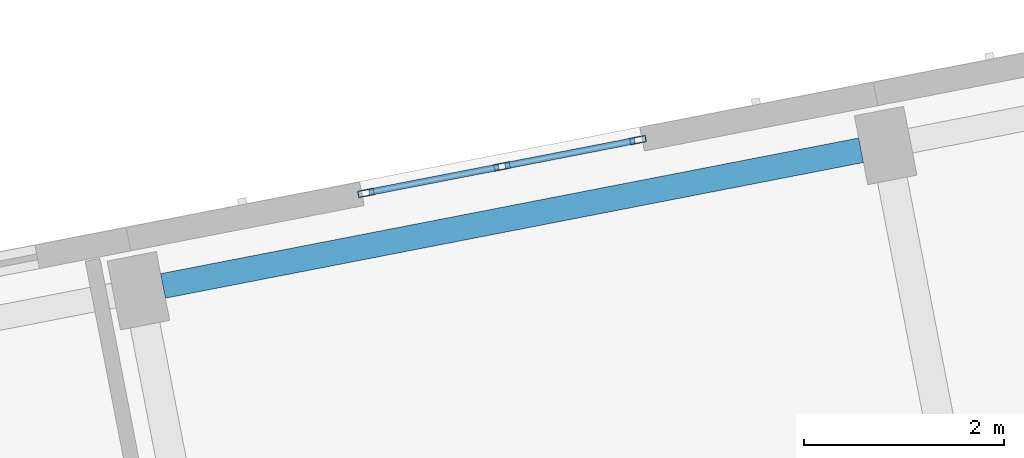
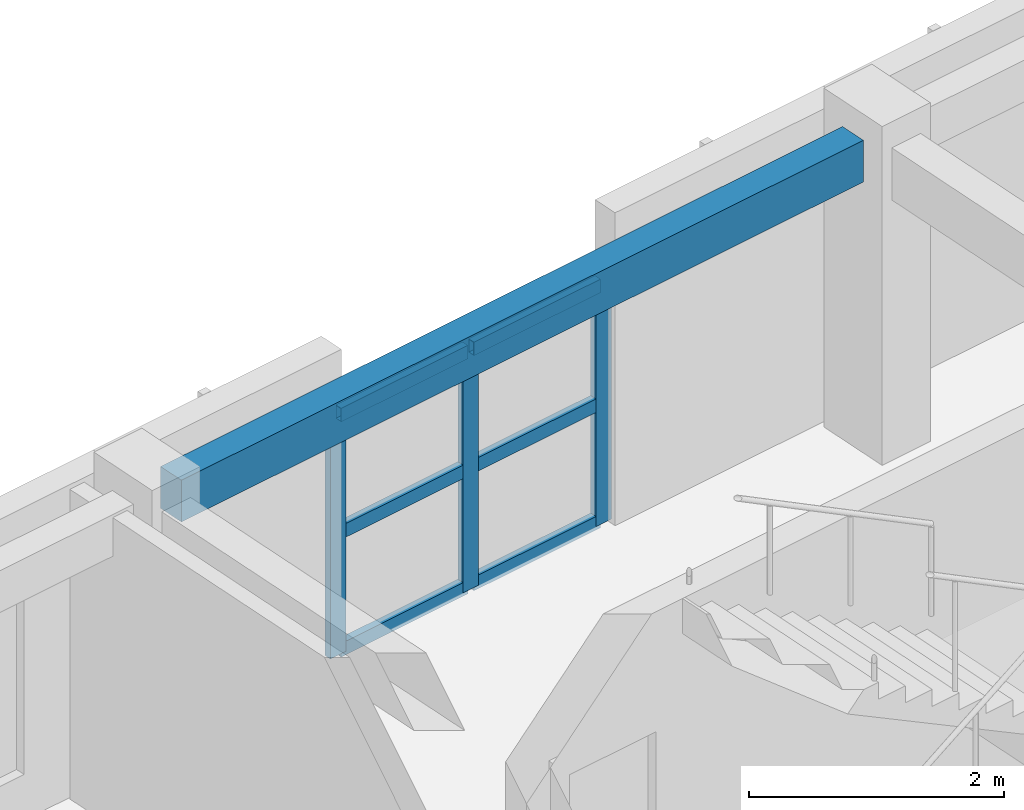
# One storey, part 9 of 74: 9 members, 1 beam, 1 element without a shape of its own.
"""IFC4 building model written with IfcOpenShell, lengths in metres."""

from ifc_helpers import new_model, si_unit, direction, frame, origin, origin_2d, place, context, subcontext, project, spatial, rectangle, hollow_rectangle, extrude, material, material_profile, profile_set, type_object, element, aggregate, save


model = new_model("IFC4")

# Units and contexts
model_context = context("Model", 3, precision=1e-05, world=origin(), true_north=direction((0.0, 1.0)))
body_context = subcontext(model_context, "Body", "Model", "MODEL_VIEW")
ifc_project = project(units=[si_unit("LENGTHUNIT", "METRE"), si_unit("AREAUNIT", "SQUARE_METRE"), si_unit("VOLUMEUNIT", "CUBIC_METRE"), si_unit("PLANEANGLEUNIT", "RADIAN"), si_unit("MASSUNIT", "GRAM", prefix="KILO")], contexts=[model_context])

# Site, building, storey
site_placement = place(None, origin())
site = spatial("IfcSite", under=ifc_project, at=site_placement, CompositionType="ELEMENT")
building_placement = place(site_placement, origin())
building = spatial("IfcBuilding", under=site, at=building_placement, Name="Kestramere Prow Commons", CompositionType="ELEMENT")
storey_placement = place(building_placement, frame((0.0, 0.0, 11.64990234375)))
storey = spatial("IfcBuildingStorey", under=building, at=storey_placement, Name="L03", CompositionType="ELEMENT", Elevation=11.64990234375)

# Curtain wall, members
ifc_material_1 = material(Name="Anodised Aluminium and Low-E Glass", Category="aluminium")
curtain_wall_type = type_object("IfcCurtainWallType", Name="CW-03 Glazed Curtain Wall 2830x2320", PredefinedType="USERDEFINED", material=ifc_material_1)
curtain_wall_placement = place(storey_placement, origin())
curtain_wall = element("IfcCurtainWall", 1, at=curtain_wall_placement, inside=storey, type_object=curtain_wall_type, Name="Block D L03 Stairwell Vertical Glazing 4", ObjectType="GLAZED CURTAIN WALL", PredefinedType="USERDEFINED")
ifc_material_2 = material(Name="Anodised Aluminium 6063-T6", Category="aluminium")
ifc_material_profile_1 = material_profile(ifc_material_2, hollow_rectangle(XDim=0.06494140625, YDim=0.159912109375, WallThickness=0.00390625, at=origin_2d()), Name="ALU-MUL 65x160")
ifc_profile_set_1 = profile_set([ifc_material_profile_1], Name="Anodised Aluminium 6063-T6")
member_type_1 = type_object("IfcMemberType", Name="CW-MUL-65x160", PredefinedType="MULLION", material=ifc_profile_set_1)
member_1_placement = place(storey_placement, frame((139.314208984375, 58.56689453125, 0.0), z_axis=(0.0, 0.0, 1.0), x_axis=(-0.190808835118, 0.981627214599, 0.0)))
member_1 = element("IfcMember", 2, at=member_1_placement, type_object=member_type_1, Name="CW-03 mullion 1", PredefinedType="MULLION", context=body_context, shape_type="SweptSolid", body=[
    extrude(hollow_rectangle(XDim=0.06494140625, YDim=0.159912109375, WallThickness=0.00390625, at=origin_2d()), origin(), (0.0, 0.0, 1.0), 2.320068359375),
])
member_2_placement = place(storey_placement, frame((140.671142578125, 58.830810546875, 0.0), z_axis=(0.0, 0.0, 1.0), x_axis=(-0.190808835118, 0.981627214599, 0.0)))
member_2 = element("IfcMember", 3, at=member_2_placement, type_object=member_type_1, Name="CW-03 mullion 2", PredefinedType="MULLION", context=body_context, shape_type="SweptSolid", body=[
    extrude(hollow_rectangle(XDim=0.06494140625, YDim=0.159912109375, WallThickness=0.00390625, at=origin_2d()), origin(), (0.0, 0.0, 1.0), 2.320068359375),
])
member_3_placement = place(storey_placement, frame((142.0283203125, 59.094482421875, 0.0), z_axis=(0.0, 0.0, 1.0), x_axis=(-0.190808835118, 0.981627214599, 0.0)))
member_3 = element("IfcMember", 4, at=member_3_placement, type_object=member_type_1, Name="CW-03 mullion 3", PredefinedType="MULLION", context=body_context, shape_type="SweptSolid", body=[
    extrude(hollow_rectangle(XDim=0.06494140625, YDim=0.159912109375, WallThickness=0.00390625, at=origin_2d()), origin(), (0.0, 0.0, 1.0), 2.320068359375),
])
ifc_material_profile_2 = material_profile(ifc_material_2, hollow_rectangle(XDim=0.06494140625, YDim=0.1298828125, WallThickness=0.00390625, at=origin_2d()), Name="ALU-TRN 65x130")
ifc_profile_set_2 = profile_set([ifc_material_profile_2], Name="Anodised Aluminium 6063-T6")
member_type_2 = type_object("IfcMemberType", Name="CW-TRN-65x130", PredefinedType="USERDEFINED", material=ifc_profile_set_2)
member_4_placement = place(storey_placement, frame((139.345947265625, 58.5732421875, 0.03271484375), z_axis=(0.981655869186, 0.190661360776, 0.0), x_axis=(-0.190661360776, 0.981655869186, 0.0)))
member_4 = element("IfcMember", 5, at=member_4_placement, type_object=member_type_2, Name="CW-03 transom 1.1", ObjectType="TRANSOM", PredefinedType="USERDEFINED", context=body_context, shape_type="SweptSolid", body=[
    extrude(hollow_rectangle(XDim=0.06494140625, YDim=0.1298828125, WallThickness=0.00390625, at=origin_2d()), origin(), (0.0, 0.0, 1.0), 1.317626953125),
])
member_5_placement = place(storey_placement, frame((139.345947265625, 58.5732421875, 1.16015625), z_axis=(0.981655869186, 0.190661360776, 0.0), x_axis=(-0.190661360776, 0.981655869186, 0.0)))
member_5 = element("IfcMember", 6, at=member_5_placement, type_object=member_type_2, Name="CW-03 transom 1.2", ObjectType="TRANSOM", PredefinedType="USERDEFINED", context=body_context, shape_type="SweptSolid", body=[
    extrude(hollow_rectangle(XDim=0.06494140625, YDim=0.1298828125, WallThickness=0.00390625, at=origin_2d()), origin(), (0.0, 0.0, 1.0), 1.317626953125),
])
member_6_placement = place(storey_placement, frame((139.345947265625, 58.5732421875, 2.28759765625), z_axis=(0.981655869186, 0.190661360776, 0.0), x_axis=(-0.190661360776, 0.981655869186, 0.0)))
member_6 = element("IfcMember", 7, at=member_6_placement, type_object=member_type_2, Name="CW-03 transom 1.3", ObjectType="TRANSOM", PredefinedType="USERDEFINED", context=body_context, shape_type="SweptSolid", body=[
    extrude(hollow_rectangle(XDim=0.06494140625, YDim=0.1298828125, WallThickness=0.00390625, at=origin_2d()), origin(), (0.0, 0.0, 1.0), 1.317626953125),
])
member_7_placement = place(storey_placement, frame((140.703125, 58.8369140625, 0.03271484375), z_axis=(0.981614425191, 0.190874619208, 0.0), x_axis=(-0.190874619208, 0.981614425191, 0.0)))
member_7 = element("IfcMember", 8, at=member_7_placement, type_object=member_type_2, Name="CW-03 transom 2.1", ObjectType="TRANSOM", PredefinedType="USERDEFINED", context=body_context, shape_type="SweptSolid", body=[
    extrude(hollow_rectangle(XDim=0.06494140625, YDim=0.1298828125, WallThickness=0.00390625, at=origin_2d()), origin(), (0.0, 0.0, 1.0), 1.3173828125),
])
member_8_placement = place(storey_placement, frame((140.703125, 58.8369140625, 1.16015625), z_axis=(0.981614425191, 0.190874619208, 0.0), x_axis=(-0.190874619208, 0.981614425191, 0.0)))
member_8 = element("IfcMember", 9, at=member_8_placement, type_object=member_type_2, Name="CW-03 transom 2.2", ObjectType="TRANSOM", PredefinedType="USERDEFINED", context=body_context, shape_type="SweptSolid", body=[
    extrude(hollow_rectangle(XDim=0.06494140625, YDim=0.1298828125, WallThickness=0.00390625, at=origin_2d()), origin(), (0.0, 0.0, 1.0), 1.3173828125),
])
member_9_placement = place(storey_placement, frame((140.703125, 58.8369140625, 2.28759765625), z_axis=(0.981614425191, 0.190874619208, 0.0), x_axis=(-0.190874619208, 0.981614425191, 0.0)))
member_9 = element("IfcMember", 10, at=member_9_placement, type_object=member_type_2, Name="CW-03 transom 2.3", ObjectType="TRANSOM", PredefinedType="USERDEFINED", context=body_context, shape_type="SweptSolid", body=[
    extrude(hollow_rectangle(XDim=0.06494140625, YDim=0.1298828125, WallThickness=0.00390625, at=origin_2d()), origin(), (0.0, 0.0, 1.0), 1.3173828125),
])
aggregate(curtain_wall, [member_1, member_2, member_3, member_4, member_5, member_6, member_7, member_8, member_9])

# Beam
ifc_material_3 = material(Name="Precast concrete C40/50", Category="concrete")
ifc_material_profile_3 = material_profile(ifc_material_3, rectangle(XDim=0.25, YDim=0.39990234375, at=origin_2d()), Name="PC-SP 250x400")
ifc_profile_set_3 = profile_set([ifc_material_profile_3], Name="Precast concrete C40/50")
beam_type = type_object("IfcBeamType", Name="SP-EXT-01 PC-SP 250x400", PredefinedType="SPANDREL", material=ifc_profile_set_3)
beam_placement = place(storey_placement, frame((137.28662109375, 57.637939453125, 2.800048828125), z_axis=(0.981627020401, 0.190809834175, 0.0), x_axis=(-0.190809834175, 0.981627020401, 0.0)))
element("IfcBeam", 11, at=beam_placement, inside=storey, type_object=beam_type, Name="Block D L03 Longitudinal Beam 4-4", PredefinedType="SPANDREL", context=body_context, shape_type="SweptSolid", body=[
    extrude(rectangle(XDim=0.25, YDim=0.39990234375, at=origin_2d()), origin(), (0.0, 0.0, 1.0), 7.099853515625),
])

save(model, "model.ifc")
